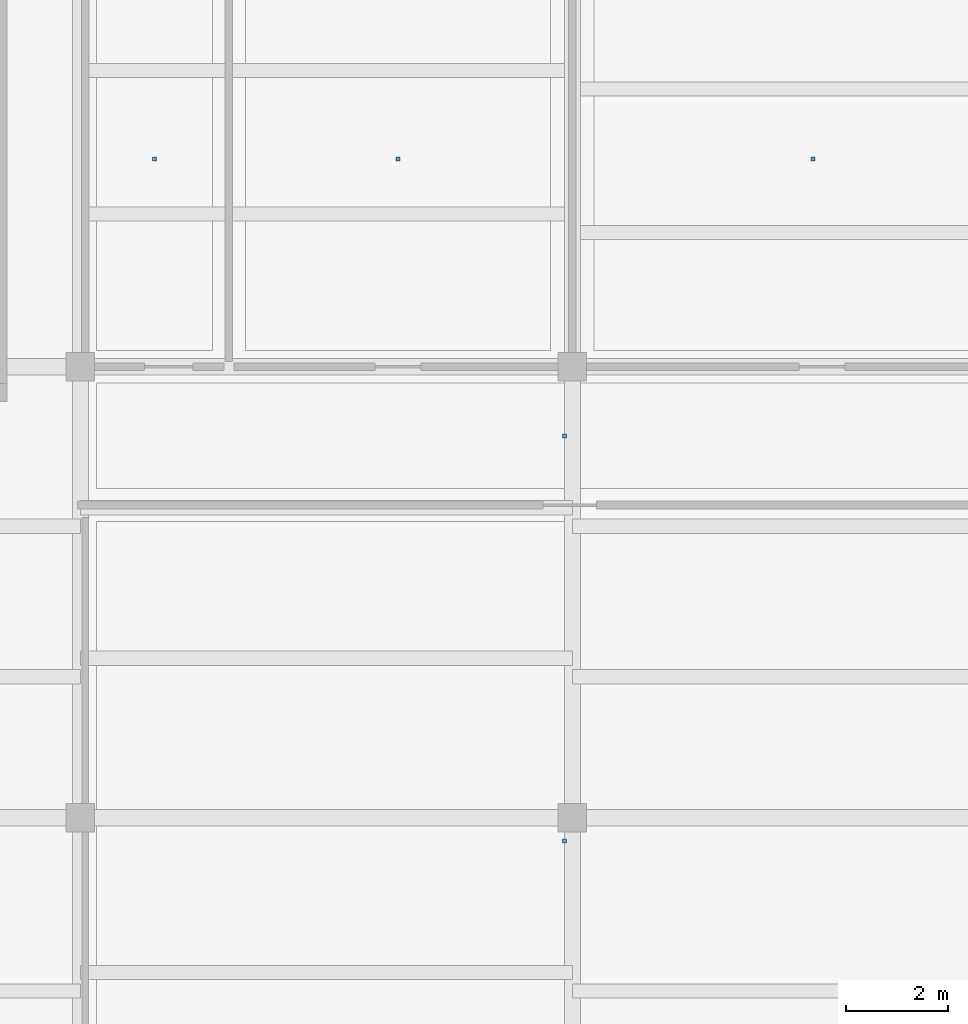
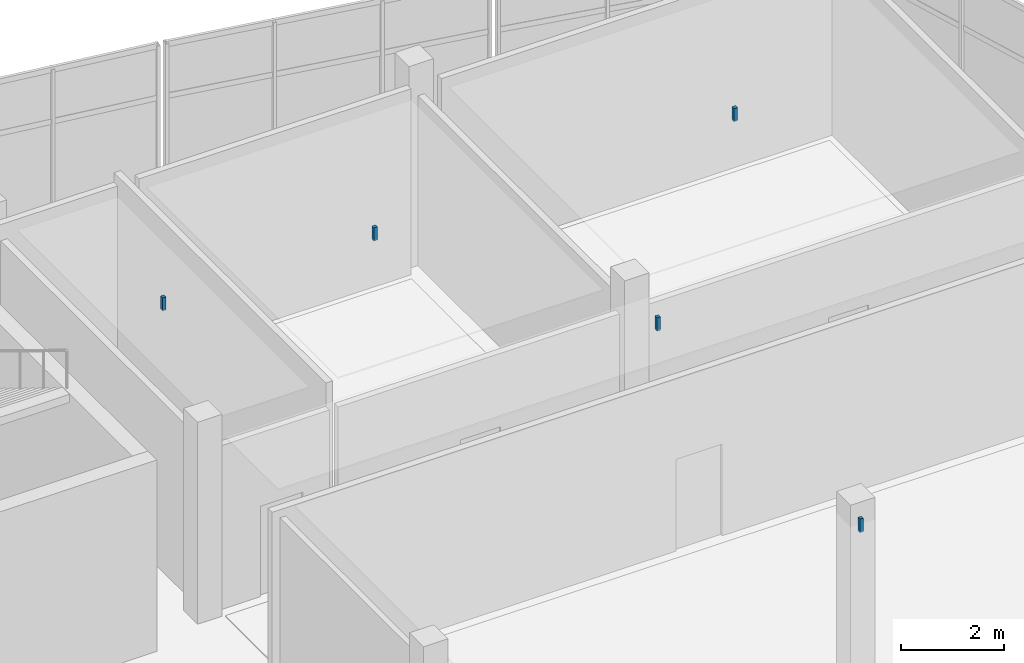
# One storey, part 150 of 157: 5 discrete accessories.
"""IFC4 building model written with IfcOpenShell, lengths in metres."""

from ifc_helpers import new_model, si_unit, direction, frame, origin, origin_2d, place, context, subcontext, project, spatial, rectangle, extrude, material, type_object, element, save


model = new_model("IFC4")

# Units and contexts
model_context = context("Model", 3, precision=1e-05, world=origin(), true_north=direction((0.0, 1.0)))
body_context = subcontext(model_context, "Body", "Model", "MODEL_VIEW")
ifc_project = project(units=[si_unit("LENGTHUNIT", "METRE"), si_unit("AREAUNIT", "SQUARE_METRE"), si_unit("VOLUMEUNIT", "CUBIC_METRE"), si_unit("PLANEANGLEUNIT", "RADIAN"), si_unit("MASSUNIT", "GRAM", prefix="KILO")], contexts=[model_context])

# Site, building, storey
site_placement = place(None, origin())
site = spatial("IfcSite", under=ifc_project, at=site_placement, CompositionType="ELEMENT")
building_placement = place(site_placement, origin())
building = spatial("IfcBuilding", under=site, at=building_placement, Name="Chalmorin Arch Market", CompositionType="ELEMENT")
storey_placement = place(building_placement, frame((0.0, 0.0, 4.800048828125)))
storey = spatial("IfcBuildingStorey", under=building, at=storey_placement, Name="L01", CompositionType="ELEMENT", Elevation=4.800048828125)

# Discrete accessories
ifc_material = material(Name="Galvanized Cold-Formed Steel", Category="steel")
discrete_accessory_type = type_object("IfcDiscreteAccessoryType", Name="CeilingSuspensionBracket-80x80", PredefinedType="BRACKET", material=ifc_material)
for number, where, z_axis, x_axis, name in (
    (1, (105.449951171875, 100.35009765625, 4.2529296875), (0.0, 0.0, 1.0), (1.0, 0.0, 0.0), "CSB-190"),
    (2, (105.449951171875, 108.25, 4.2529296875), (0.0, 0.0, 1.0), (1.0, 0.0, 0.0), "CSB-192"),
):
    element("IfcDiscreteAccessory", number, at=place(storey_placement, frame(where, z_axis=z_axis, x_axis=x_axis)), inside=storey, type_object=discrete_accessory_type, Name=name, PredefinedType="BRACKET", context=body_context, shape_type="SweptSolid", body=[
        extrude(rectangle(XDim=0.080078125, YDim=0.080078125, at=origin_2d()), origin(), (0.0, 0.0, 1.0), 0.31689453125),
    ])
for number, where, z_axis, x_axis, name in (
    (3, (97.449951171875, 113.64990234375, 4.261962890625), (0.0, 0.0, 1.0), (1.0, 0.0, 0.0), "CSB-194"),
    (4, (102.199951171875, 113.64990234375, 4.261962890625), (0.0, 0.0, 1.0), (1.0, 0.0, 0.0), "CSB-196"),
    (5, (110.300048828125, 113.64990234375, 4.261962890625), (0.0, 0.0, 1.0), (1.0, 0.0, 0.0), "CSB-198"),
):
    element("IfcDiscreteAccessory", number, at=place(storey_placement, frame(where, z_axis=z_axis, x_axis=x_axis)), inside=storey, type_object=discrete_accessory_type, Name=name, PredefinedType="BRACKET", context=body_context, shape_type="SweptSolid", body=[
        extrude(rectangle(XDim=0.080078125, YDim=0.080078125, at=origin_2d()), origin(), (0.0, 0.0, 1.0), 0.30810546875),
    ])

save(model, "model.ifc")
